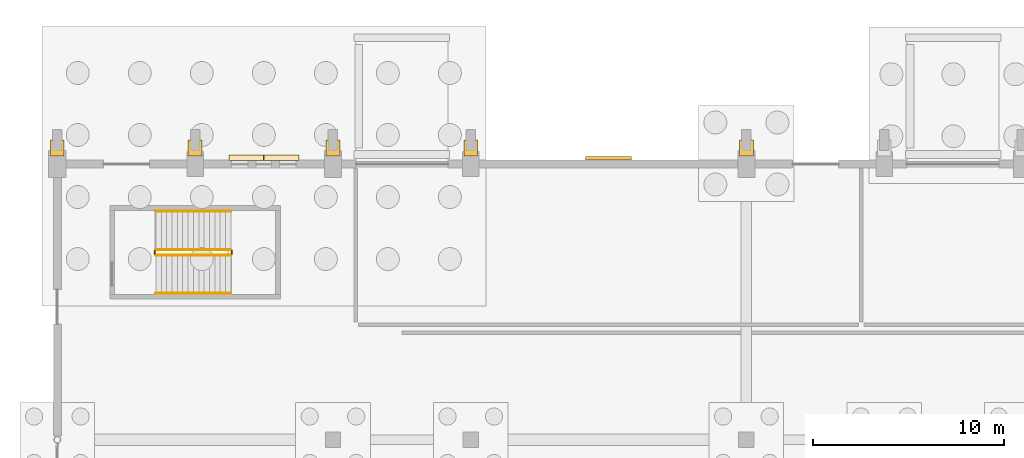
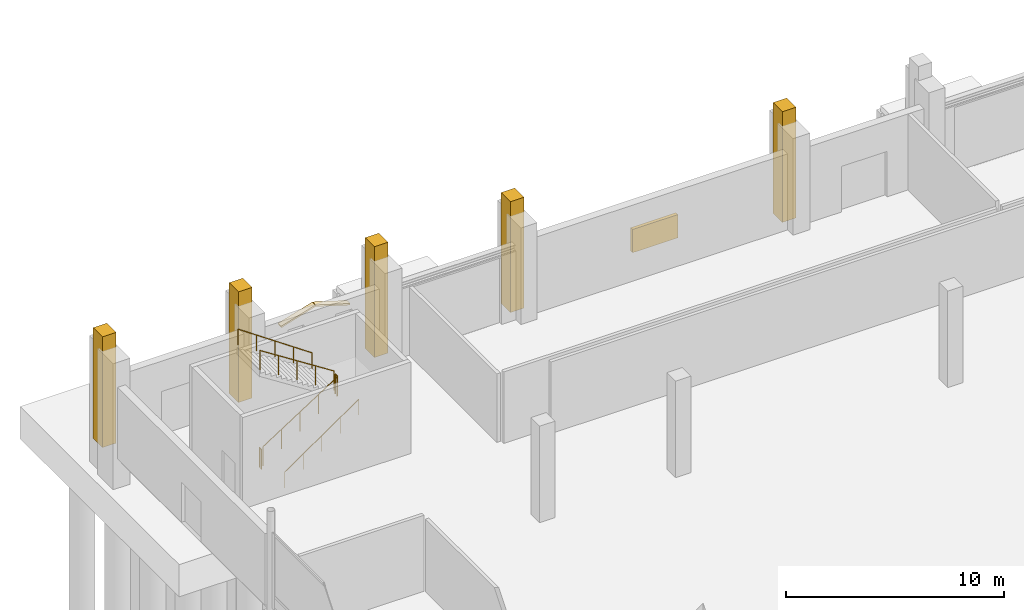
# One storey, part 187 of 192: 7 coverings, 6 railings, 1 shading device.
"""IFC4 building model written with IfcOpenShell, lengths in metres."""

from ifc_helpers import new_model, si_unit, direction, frame, origin, origin_2d, place, context, subcontext, project, spatial, polyline, rectangle, circle, outline, extrude, material, layer, layer_set, type_object, element, save


model = new_model("IFC4")

# Units and contexts
model_context = context("Model", 3, precision=1e-05, world=origin(), true_north=direction((0.0, 1.0)))
body_context = subcontext(model_context, "Body", "Model", "MODEL_VIEW")
ifc_project = project(units=[si_unit("LENGTHUNIT", "METRE"), si_unit("AREAUNIT", "SQUARE_METRE"), si_unit("VOLUMEUNIT", "CUBIC_METRE"), si_unit("PLANEANGLEUNIT", "RADIAN"), si_unit("MASSUNIT", "GRAM", prefix="KILO")], contexts=[model_context])

# Site, building, storey
site_placement = place(None, origin())
site = spatial("IfcSite", under=ifc_project, at=site_placement, CompositionType="ELEMENT")
building_placement = place(site_placement, origin())
building = spatial("IfcBuilding", under=site, at=building_placement, Name="Cendralis Lancet Convention Centre", CompositionType="ELEMENT")
storey_placement = place(building_placement, origin())
storey = spatial("IfcBuildingStorey", under=building, at=storey_placement, Name="L00", CompositionType="ELEMENT", Elevation=0.0)

# Coverings
ifc_material_1 = material(Name="Warm buff sandstone chevron cassette", Category="masonry")
ifc_layer = layer(ifc_material_1, 0.06005859375, Name="Warm buff sandstone chevron cassette")
ifc_layer_set = layer_set([ifc_layer], Name="Warm buff sandstone chevron cassette")
covering_type = type_object("IfcCoveringType", Name="ARC-CV-CLAD1", PredefinedType="CLADDING", material=ifc_layer_set)
covering_1_placement = place(storey_placement, frame((8.95751953125, 137.27001953125, 3.669921875), z_axis=(-0.29175889615, 0.0, 0.956491895688), x_axis=(0.0, -1.0, 0.0)))
element("IfcCovering", 1, at=covering_1_placement, inside=storey, type_object=covering_type, Name="L00 Gothic Pointed Lancet Hood-Mould #0001L", PredefinedType="CLADDING", context=body_context, shape_type="SweptSolid", body=[
    extrude(outline(polyline([(0.0, 0.0), (0.284912109375, 0.0), (0.284912109375, 1.9028581084475404), (0.0, 1.9028581084475404), (0.0, 0.0)])), origin(), (0.0, 0.0, -1.0), 0.090087890625),
])
covering_2_placement = place(storey_placement, frame((10.797607421875, 137.27001953125, 4.22509765625), z_axis=(0.291794704958, 0.0, 0.956480972188), x_axis=(0.0, -1.0, 0.0)))
element("IfcCovering", 2, at=covering_2_placement, inside=storey, type_object=covering_type, Name="L00 Gothic Pointed Lancet Hood-Mould #0002R", PredefinedType="CLADDING", context=body_context, shape_type="SweptSolid", body=[
    extrude(outline(polyline([(0.0, 0.0), (0.284912109375, 0.0), (0.284912109375, 1.9026245912516728), (0.0, 1.9026245912516728), (0.0, 0.0)])), origin(), (0.0, 0.0, -1.0), 0.090087890625),
])
covering_3_placement = place(storey_placement, origin())
element("IfcCovering", 3, at=covering_3_placement, inside=storey, type_object=covering_type, Name="Gothic Stepped Stone Buttress Base #0002", PredefinedType="CLADDING", context=body_context, shape_type="SweptSolid", body=[
    extrude(outline(polyline([(0.360107421875, 138.070068359375), (-0.360107421875, 138.070068359375), (-0.360107421875, 137.219970703125), (0.360107421875, 137.219970703125), (0.360107421875, 138.070068359375)])), origin(), (0.0, 0.0, 1.0), 6.199951171875),
])
covering_4_placement = place(storey_placement, origin())
element("IfcCovering", 4, at=covering_4_placement, inside=storey, type_object=covering_type, Name="Gothic Stepped Stone Buttress Base #0004", PredefinedType="CLADDING", context=body_context, shape_type="SweptSolid", body=[
    extrude(outline(polyline([(7.56005859375, 138.070068359375), (6.840087890625, 138.070068359375), (6.840087890625, 137.219970703125), (7.56005859375, 137.219970703125), (7.56005859375, 138.070068359375)])), origin(), (0.0, 0.0, 1.0), 6.199951171875),
])
covering_5_placement = place(storey_placement, origin())
element("IfcCovering", 5, at=covering_5_placement, inside=storey, type_object=covering_type, Name="Gothic Stepped Stone Buttress Base #0006", PredefinedType="CLADDING", context=body_context, shape_type="SweptSolid", body=[
    extrude(outline(polyline([(14.760009765625, 138.070068359375), (14.0400390625, 138.070068359375), (14.0400390625, 137.219970703125), (14.760009765625, 137.219970703125), (14.760009765625, 138.070068359375)])), origin(), (0.0, 0.0, 1.0), 6.199951171875),
])
covering_6_placement = place(storey_placement, origin())
element("IfcCovering", 6, at=covering_6_placement, inside=storey, type_object=covering_type, Name="Gothic Stepped Stone Buttress Base #0008", PredefinedType="CLADDING", context=body_context, shape_type="SweptSolid", body=[
    extrude(outline(polyline([(21.9599609375, 138.070068359375), (21.239990234375, 138.070068359375), (21.239990234375, 137.219970703125), (21.9599609375, 137.219970703125), (21.9599609375, 138.070068359375)])), origin(), (0.0, 0.0, 1.0), 6.199951171875),
])
covering_7_placement = place(storey_placement, origin())
element("IfcCovering", 7, at=covering_7_placement, inside=storey, type_object=covering_type, Name="Gothic Stepped Stone Buttress Base #0010", PredefinedType="CLADDING", context=body_context, shape_type="SweptSolid", body=[
    extrude(outline(polyline([(36.360107421875, 138.070068359375), (35.639892578125, 138.070068359375), (35.639892578125, 137.219970703125), (36.360107421875, 137.219970703125), (36.360107421875, 138.070068359375)])), origin(), (0.0, 0.0, 1.0), 6.199951171875),
])

# Railings
ifc_material_2 = material(Name="Steel S355", Category="steel")
railing_type_1 = type_object("IfcRailingType", Name="ARC-RL-CGD", PredefinedType="GUARDRAIL", material=ifc_material_2)
railing_1_placement = place(storey_placement, frame((5.14990234375, 132.050048828125, 0.179931640625)))
element("IfcRailing", 8, at=railing_1_placement, inside=storey, type_object=railing_type_1, Name="L00 ST-02 stair guard 1", PredefinedType="GUARDRAIL", context=body_context, shape_type="SweptSolid", body=[
    extrude(circle(Radius=0.02392578125, at=origin_2d()), frame((0.0, 0.0, 1.076171875), z_axis=(0.841186985886, 0.0, 0.540744352514), x_axis=(0.0, 1.0, 0.0)), (0.0, 0.0, 1.0), 4.660400390625),
    extrude(circle(Radius=0.02099609375, at=origin_2d()), origin(), (0.0, 0.0, 1.0), 1.052001953125),
    extrude(circle(Radius=0.02099609375, at=origin_2d()), frame((0.97998046875, 0.0, 0.6298828125)), (0.0, 0.0, 1.0), 1.052001953125),
    extrude(circle(Radius=0.02099609375, at=origin_2d()), frame((1.9599609375, 0.0, 1.260009765625)), (0.0, 0.0, 1.0), 1.052001953125),
    extrude(circle(Radius=0.02099609375, at=origin_2d()), frame((2.940185546875, 0.0, 1.89013671875)), (0.0, 0.0, 1.0), 1.052001953125),
    extrude(circle(Radius=0.02099609375, at=origin_2d()), frame((3.920166015625, 0.0, 2.52001953125)), (0.0, 0.0, 1.0), 1.052001953125),
])
railing_2_placement = place(storey_placement, frame((9.1201171875, 132.10009765625, 2.699951171875)))
element("IfcRailing", 9, at=railing_2_placement, inside=storey, type_object=railing_type_1, Name="L00 ST-02 stair guard 2", PredefinedType="GUARDRAIL", context=body_context, shape_type="SweptSolid", body=[
    extrude(circle(Radius=0.02392578125, at=origin_2d()), frame((0.0, 0.0, 1.076171875), z_axis=(0.0, 1.0, 0.0), x_axis=(-1.0, 0.0, 0.0)), (0.0, 0.0, 1.0), 0.179931640625),
    extrude(circle(Radius=0.02099609375, at=origin_2d()), origin(), (0.0, 0.0, 1.0), 1.052001953125),
    extrude(circle(Radius=0.02099609375, at=origin_2d()), frame((0.0, 0.179931640625, 0.0)), (0.0, 0.0, 1.0), 1.052001953125),
])
railing_3_placement = place(storey_placement, frame((9.070068359375, 132.330078125, 2.8798828125)))
element("IfcRailing", 10, at=railing_3_placement, inside=storey, type_object=railing_type_1, Name="L00 ST-02 stair guard 3", PredefinedType="GUARDRAIL", context=body_context, shape_type="SweptSolid", body=[
    extrude(circle(Radius=0.02392578125, at=origin_2d()), frame((0.0, 0.0, 1.076171875), z_axis=(-0.841186985886, 0.0, 0.540744352514), x_axis=(0.0, -1.0, 0.0)), (0.0, 0.0, 1.0), 4.660400390625),
    extrude(circle(Radius=0.02099609375, at=origin_2d()), origin(), (0.0, 0.0, 1.0), 1.052001953125),
    extrude(circle(Radius=0.02099609375, at=origin_2d()), frame((-0.97998046875, 0.0, 0.6298828125)), (0.0, 0.0, 1.0), 1.052001953125),
    extrude(circle(Radius=0.02099609375, at=origin_2d()), frame((-1.9599609375, 0.0, 1.260009765625)), (0.0, 0.0, 1.0), 1.052001953125),
    extrude(circle(Radius=0.02099609375, at=origin_2d()), frame((-2.940185546875, 0.0, 1.89013671875)), (0.0, 0.0, 1.0), 1.052001953125),
    extrude(circle(Radius=0.02099609375, at=origin_2d()), frame((-3.920166015625, 0.0, 2.52001953125)), (0.0, 0.0, 1.0), 1.052001953125),
])
railing_4_placement = place(storey_placement, frame((5.10009765625, 132.10009765625, 0.0)))
element("IfcRailing", 11, at=railing_4_placement, inside=storey, type_object=railing_type_1, Name="L00 ST-02 stair guard 4", PredefinedType="GUARDRAIL", context=body_context, shape_type="SweptSolid", body=[
    extrude(circle(Radius=0.02392578125, at=origin_2d()), frame((0.0, 0.0, 1.076171875), z_axis=(0.0, 1.0, 0.0), x_axis=(-1.0, 0.0, 0.0)), (0.0, 0.0, 1.0), 0.179931640625),
    extrude(circle(Radius=0.02099609375, at=origin_2d()), origin(), (0.0, 0.0, 1.0), 1.052001953125),
    extrude(circle(Radius=0.02099609375, at=origin_2d()), frame((0.0, 0.179931640625, 0.0)), (0.0, 0.0, 1.0), 1.052001953125),
])
railing_type_2 = type_object("IfcRailingType", Name="ARC-RL-CHR", PredefinedType="HANDRAIL", material=ifc_material_2)
railing_5_placement = place(storey_placement, frame((5.14990234375, 130.050048828125, 0.179931640625)))
element("IfcRailing", 12, at=railing_5_placement, inside=storey, type_object=railing_type_2, Name="L00 ST-02 stair handrail 1", PredefinedType="HANDRAIL", context=body_context, shape_type="SweptSolid", body=[
    extrude(circle(Radius=0.02392578125, at=origin_2d()), frame((0.0, 0.0, 0.8759765625), z_axis=(0.823567234665, 0.0, 0.567218661528), x_axis=(0.0, 1.0, 0.0)), (0.0, 0.0, 1.0), 4.760009765625),
    extrude(circle(Radius=0.02099609375, at=origin_2d()), origin(), (0.0, 0.0, 1.0), 0.851806640625),
    extrude(circle(Radius=0.02099609375, at=origin_2d()), frame((0.97998046875, 0.0, 0.675048828125)), (0.0, 0.0, 1.0), 0.851806640625),
    extrude(circle(Radius=0.02099609375, at=origin_2d()), frame((1.9599609375, 0.0, 1.35009765625)), (0.0, 0.0, 1.0), 0.851806640625),
    extrude(circle(Radius=0.02099609375, at=origin_2d()), frame((2.940185546875, 0.0, 2.02490234375)), (0.0, 0.0, 1.0), 0.851806640625),
    extrude(circle(Radius=0.02099609375, at=origin_2d()), frame((3.920166015625, 0.0, 2.699951171875)), (0.0, 0.0, 1.0), 0.851806640625),
])
railing_6_placement = place(storey_placement, frame((9.070068359375, 134.330078125, 2.8798828125)))
element("IfcRailing", 13, at=railing_6_placement, inside=storey, type_object=railing_type_2, Name="L00 ST-02 stair handrail 2", PredefinedType="HANDRAIL", context=body_context, shape_type="SweptSolid", body=[
    extrude(circle(Radius=0.02392578125, at=origin_2d()), frame((0.0, 0.0, 0.8759765625), z_axis=(-0.82354327477, 0.0, 0.567253448276), x_axis=(0.0, -1.0, 0.0)), (0.0, 0.0, 1.0), 4.760009765625),
    extrude(circle(Radius=0.02099609375, at=origin_2d()), origin(), (0.0, 0.0, 1.0), 0.851806640625),
    extrude(circle(Radius=0.02099609375, at=origin_2d()), frame((-0.97998046875, 0.0, 0.675048828125)), (0.0, 0.0, 1.0), 0.851806640625),
    extrude(circle(Radius=0.02099609375, at=origin_2d()), frame((-1.9599609375, 0.0, 1.35009765625)), (0.0, 0.0, 1.0), 0.851806640625),
    extrude(circle(Radius=0.02099609375, at=origin_2d()), frame((-2.940185546875, 0.0, 2.025146484375)), (0.0, 0.0, 1.0), 0.851806640625),
    extrude(circle(Radius=0.02099609375, at=origin_2d()), frame((-3.920166015625, 0.0, 2.7001953125)), (0.0, 0.0, 1.0), 0.851806640625),
])

# Shading device
ifc_material_3 = material(Name="Anodised bronze architectural aluminium", Category="aluminium")
shading_device_type = type_object("IfcShadingDeviceType", Name="ARC-SH-JAL1", PredefinedType="JALOUSIE", material=ifc_material_3)
shading_device_placement = place(storey_placement, frame((28.78759765625, 137.10009765625, 1.25), z_axis=(0.0, 0.0, 1.0), x_axis=(1.0, 0.0, 0.0)))
element("IfcShadingDevice", 14, at=shading_device_placement, inside=storey, type_object=shading_device_type, Name="External Acoustic Louvre Bank LV-01 #037", PredefinedType="JALOUSIE", context=body_context, shape_type="SweptSolid", body=[
    extrude(rectangle(XDim=2.39990234375, YDim=0.179931640625, at=origin_2d()), origin(), (0.0, 0.0, 1.0), 1.300048828125),
])

save(model, "model.ifc")
